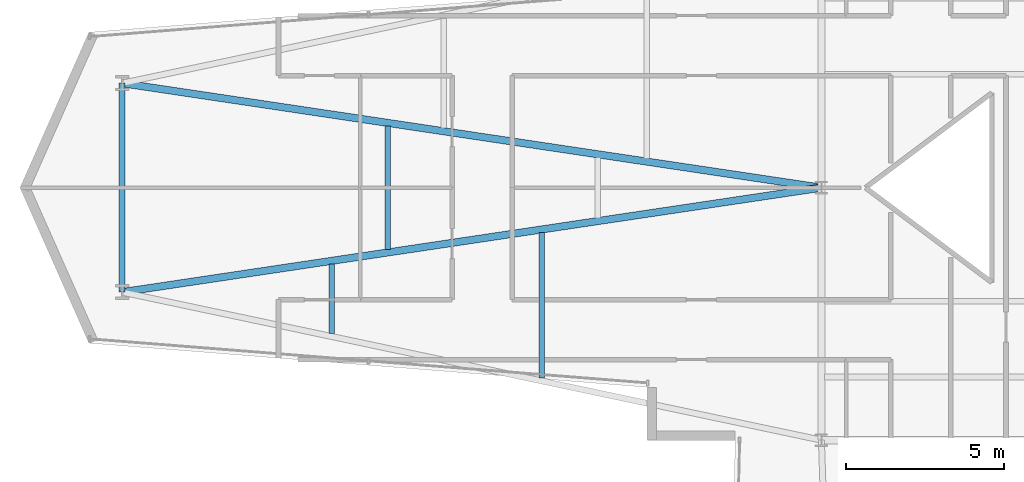
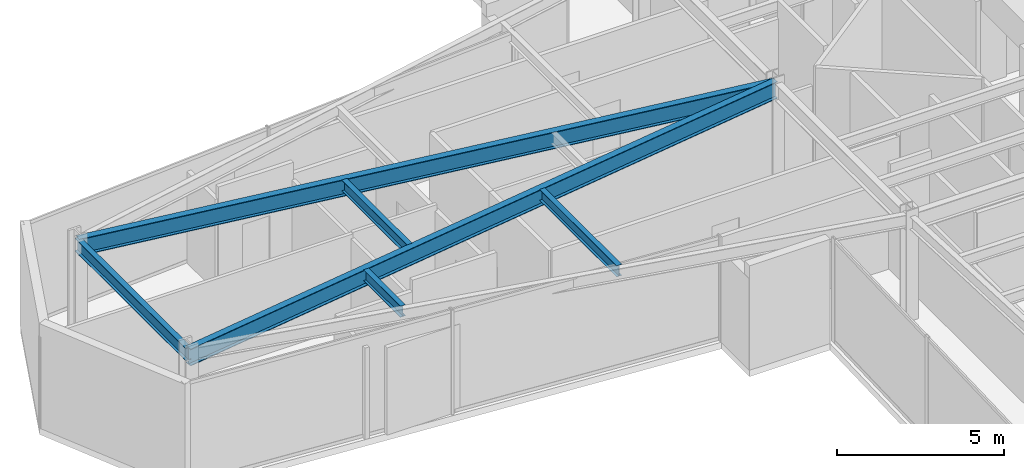
# One storey, part 6 of 24: 6 beams.
"""IFC4 building model written with IfcOpenShell, lengths in metres."""

from ifc_helpers import new_model, si_unit, direction, frame, origin, origin_2d, place, context, subcontext, project, spatial, i_section, extrude, material, material_profile, profile_set, type_object, element, save


model = new_model("IFC4")

# Units and contexts
model_context = context("Model", 3, precision=1e-05, world=origin(), true_north=direction((0.0, 1.0)))
body_context = subcontext(model_context, "Body", "Model", "MODEL_VIEW")
ifc_project = project(units=[si_unit("LENGTHUNIT", "METRE"), si_unit("AREAUNIT", "SQUARE_METRE"), si_unit("VOLUMEUNIT", "CUBIC_METRE"), si_unit("PLANEANGLEUNIT", "RADIAN"), si_unit("MASSUNIT", "GRAM", prefix="KILO")], contexts=[model_context])

# Site, building, storey
site_placement = place(None, origin())
site = spatial("IfcSite", under=ifc_project, at=site_placement, CompositionType="ELEMENT")
building_placement = place(site_placement, origin())
building = spatial("IfcBuilding", under=site, at=building_placement, Name="Veymaron Broadcast Tower", CompositionType="ELEMENT")
storey_placement = place(building_placement, frame((0.0, 0.0, 78.300048828125)))
storey = spatial("IfcBuildingStorey", under=building, at=storey_placement, Name="L17", CompositionType="ELEMENT", Elevation=78.300048828125)

# Beams
ifc_material = material(Name="Structural steel ASTM A992 Gr 50", Category="steel")
ifc_material_profile_1 = material_profile(ifc_material, i_section(OverallWidth=0.22998046875, OverallDepth=0.616943359375, WebThickness=0.01318359375, FlangeThickness=0.022216796875, at=origin_2d()), Name="W610X140")
ifc_profile_set_1 = profile_set([ifc_material_profile_1], Name="Structural steel ASTM A992 Gr 50")
beam_type_1 = type_object("IfcBeamType", Name="BM-FG1", PredefinedType="BEAM", material=ifc_profile_set_1)
for number, where, z_axis, x_axis, name in (
    (1, (9.0419921875, 20.68994140625, 3.50146484375), (0.989025456766, 0.147745205906, 0.0), (-0.147745205906, 0.989025456766, 0.0), "L17 primary structural floor girder"),
    (2, (9.0419921875, 27.31005859375, 3.50146484375), (0.989025456766, -0.147745205906, 0.0), (0.147745205906, 0.989025456766, 0.0), "L17 primary structural floor girder"),
):
    element("IfcBeam", number, at=place(storey_placement, frame(where, z_axis=z_axis, x_axis=x_axis)), inside=storey, type_object=beam_type_1, Name=name, PredefinedType="BEAM", context=body_context, shape_type="SweptSolid", body=[
        extrude(i_section(OverallWidth=0.22998046875, OverallDepth=0.616943359375, WebThickness=0.01318359375, FlangeThickness=0.022216796875, at=origin_2d()), origin(), (0.0, 0.0, 1.0), 22.40380859375),
    ])
ifc_material_profile_2 = material_profile(ifc_material, i_section(OverallWidth=0.177978515625, OverallDepth=0.406982421875, WebThickness=0.0078125, FlangeThickness=0.0126953125, at=origin_2d()), Name="W410X60")
ifc_profile_set_2 = profile_set([ifc_material_profile_2], Name="Structural steel ASTM A992 Gr 50")
beam_type_2 = type_object("IfcBeamType", Name="BM-JS1", PredefinedType="JOIST", material=ifc_profile_set_2)
beam_1_placement = place(storey_placement, frame((15.689453125, 19.383056640625, 3.6064453125), z_axis=(0.0, 1.0, 0.0), x_axis=(-1.0, 0.0, 0.0)))
element("IfcBeam", 3, at=beam_1_placement, inside=storey, type_object=beam_type_2, Name="L17 Arm-A secondary joist 1S", PredefinedType="JOIST", context=body_context, shape_type="SweptSolid", body=[
    extrude(i_section(OverallWidth=0.177978515625, OverallDepth=0.406982421875, WebThickness=0.0078125, FlangeThickness=0.0126953125, at=origin_2d()), origin(), (0.0, 0.0, 1.0), 2.199951171875),
])
beam_2_placement = place(storey_placement, frame((17.4619140625, 22.0478515625, 3.6064453125), z_axis=(0.0, 1.0, 0.0), x_axis=(-1.0, 0.0, 0.0)))
element("IfcBeam", 4, at=beam_2_placement, inside=storey, type_object=beam_type_2, Name="L17 Arm-A secondary joist 1M", PredefinedType="JOIST", context=body_context, shape_type="SweptSolid", body=[
    extrude(i_section(OverallWidth=0.177978515625, OverallDepth=0.406982421875, WebThickness=0.0078125, FlangeThickness=0.0126953125, at=origin_2d()), origin(), (0.0, 0.0, 1.0), 3.904296875),
])
beam_3_placement = place(storey_placement, frame((22.3369140625, 17.97607421875, 3.6064453125), z_axis=(0.0, 1.0, 0.0), x_axis=(-1.0, 0.0, 0.0)))
element("IfcBeam", 5, at=beam_3_placement, inside=storey, type_object=beam_type_2, Name="L17 Arm-A secondary joist 2S", PredefinedType="JOIST", context=body_context, shape_type="SweptSolid", body=[
    extrude(i_section(OverallWidth=0.177978515625, OverallDepth=0.406982421875, WebThickness=0.0078125, FlangeThickness=0.0126953125, at=origin_2d()), origin(), (0.0, 0.0, 1.0), 4.599853515625),
])
ifc_material_profile_3 = material_profile(ifc_material, i_section(OverallWidth=0.19091796875, OverallDepth=0.4599609375, WebThickness=0.010009765625, FlangeThickness=0.01611328125, at=origin_2d()), Name="W460X82")
ifc_profile_set_3 = profile_set([ifc_material_profile_3], Name="Structural steel ASTM A992 Gr 50")
beam_type_3 = type_object("IfcBeamType", Name="BM-SP1", PredefinedType="SPANDREL", material=ifc_profile_set_3)
beam_4_placement = place(storey_placement, frame((9.0419921875, 20.68994140625, 3.579833984375), z_axis=(0.0, 1.0, 0.0), x_axis=(-1.0, 0.0, 0.0)))
element("IfcBeam", 6, at=beam_4_placement, inside=storey, type_object=beam_type_3, Name="L17 primary structural floor girder", PredefinedType="SPANDREL", context=body_context, shape_type="SweptSolid", body=[
    extrude(i_section(OverallWidth=0.19091796875, OverallDepth=0.4599609375, WebThickness=0.010009765625, FlangeThickness=0.01611328125, at=origin_2d()), origin(), (0.0, 0.0, 1.0), 6.6201171875),
])

save(model, "model.ifc")
